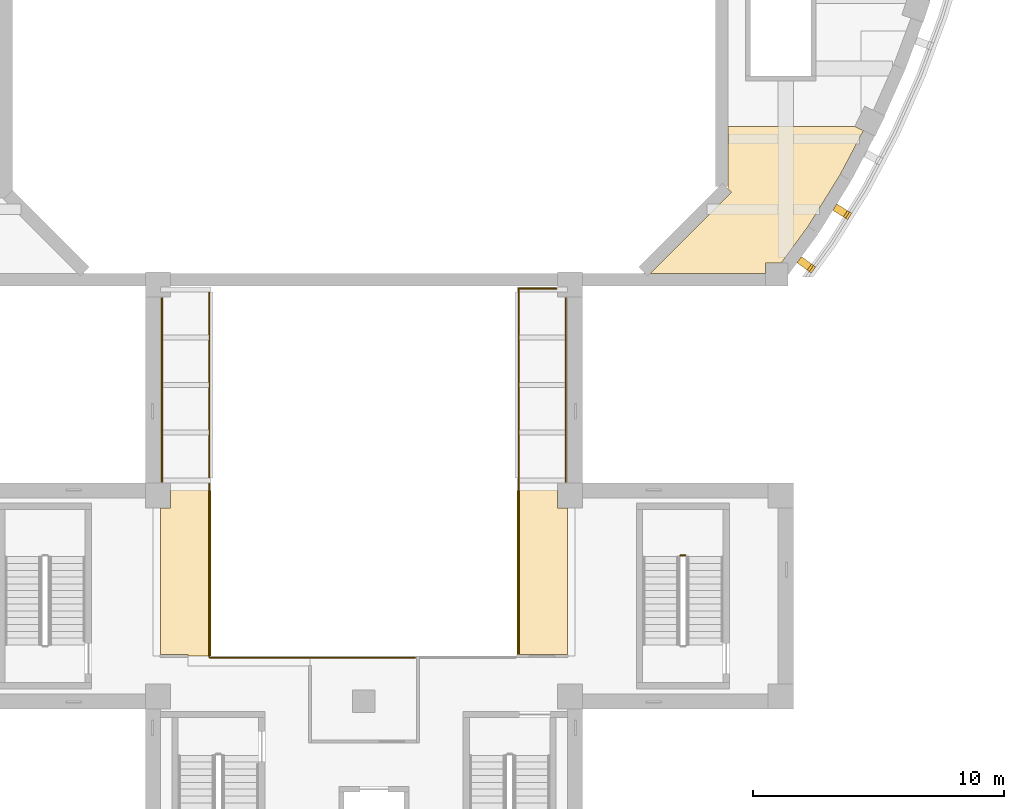
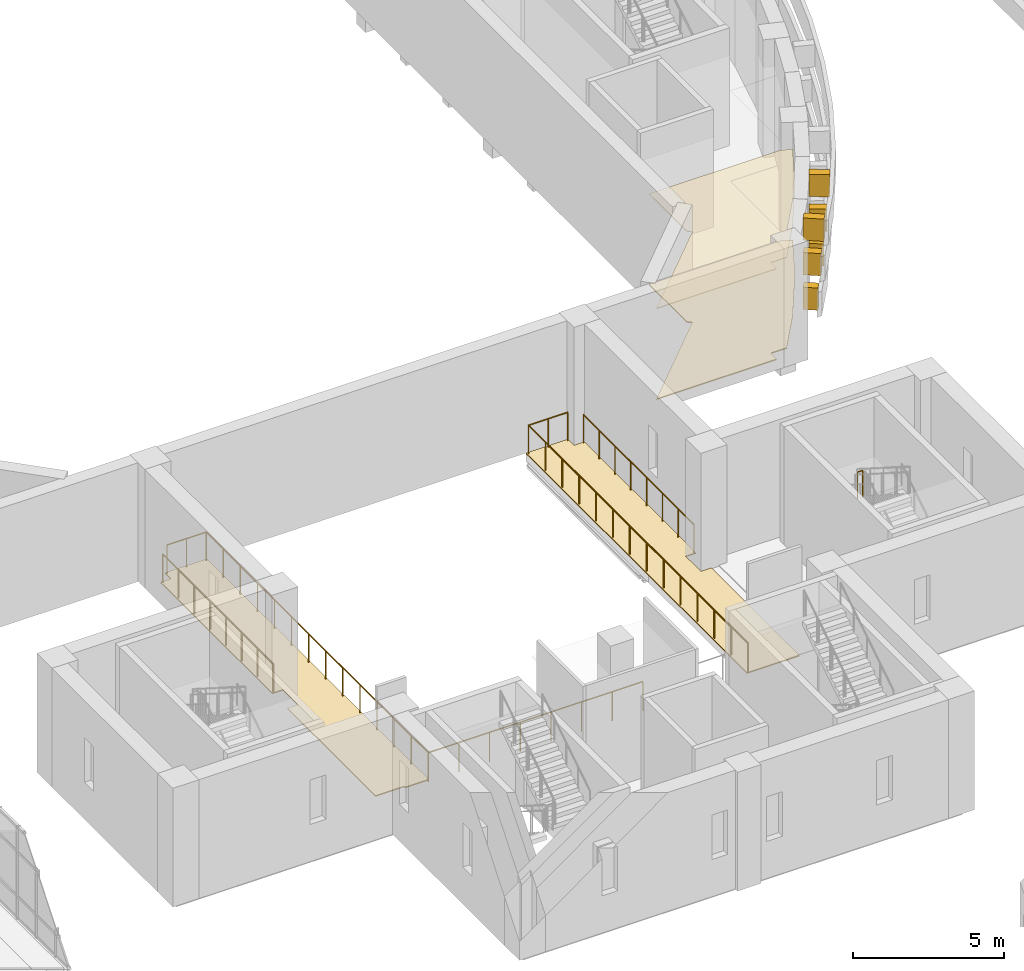
# One storey, part 83 of 103: 10 coverings, 5 railings.
"""IFC4 building model written with IfcOpenShell, lengths in metres."""

from ifc_helpers import new_model, si_unit, direction, frame, origin, origin_2d, place, context, subcontext, project, spatial, polyline, rectangle, circle, outline, extrude, material, layer, layer_set, type_object, element, save


model = new_model("IFC4")

# Units and contexts
model_context = context("Model", 3, precision=1e-05, world=origin(), true_north=direction((0.0, 1.0)))
body_context = subcontext(model_context, "Body", "Model", "MODEL_VIEW")
ifc_project = project(units=[si_unit("LENGTHUNIT", "METRE"), si_unit("AREAUNIT", "SQUARE_METRE"), si_unit("VOLUMEUNIT", "CUBIC_METRE"), si_unit("PLANEANGLEUNIT", "RADIAN"), si_unit("MASSUNIT", "GRAM", prefix="KILO")], contexts=[model_context])

# Site, building, storey
site_placement = place(None, origin())
site = spatial("IfcSite", under=ifc_project, at=site_placement, CompositionType="ELEMENT")
building_placement = place(site_placement, origin())
building = spatial("IfcBuilding", under=site, at=building_placement, Name="Larchfold Concert Hall", CompositionType="ELEMENT")
storey_placement = place(building_placement, frame((0.0, 0.0, 9.60009765625)))
storey = spatial("IfcBuildingStorey", under=building, at=storey_placement, Name="L02", CompositionType="ELEMENT", Elevation=9.60009765625)

# Coverings
ifc_material_1 = material(Name="Plasterboard ceiling lining")
ifc_layer_1 = layer(ifc_material_1, 0.030029296875)
ifc_layer_set_1 = layer_set([ifc_layer_1], Name="Plasterboard ceiling lining")
covering_type_1 = type_object("IfcCoveringType", Name="Ceiling suspended plasterboard 30", PredefinedType="CEILING", material=ifc_layer_set_1)
covering_1_placement = place(storey_placement, frame((0.0, 0.0, 3.669921875)))
element("IfcCovering", 1, at=covering_1_placement, inside=storey, type_object=covering_type_1, Name="Ceiling Hall Foyer South East", PredefinedType="CEILING", context=body_context, shape_type="SweptSolid", body=[
    extrude(outline(polyline([(61.56884765625, 63.580078125), (62.492919921875, 65.332763671875), (62.147705078125, 65.5), (57.10009765625, 65.5), (57.10009765625, 63.050048828125), (57.0859375, 63.035888671875), (57.23779296875, 62.884033203125), (54.003662109375, 59.64990234375), (58.59716796875, 59.64990234375), (58.59716796875, 60.0498046875), (59.213134765625, 60.0498046875), (60.286376953125, 61.515380859375), (61.56884765625, 63.580078125)])), origin(), (0.0, 0.0, 1.0), 0.030029296875),
])
ifc_material_2 = material(Name="Polished terrazzo")
ifc_layer_2 = layer(ifc_material_2, 0.0400390625)
ifc_layer_set_2 = layer_set([ifc_layer_2], Name="Polished terrazzo")
covering_type_2 = type_object("IfcCoveringType", Name="Floor finish terrazzo 40", PredefinedType="FLOORING", material=ifc_layer_set_2)
covering_2_placement = place(storey_placement, origin())
element("IfcCovering", 2, at=covering_2_placement, inside=storey, type_object=covering_type_2, Name="Floor finish Hall Foyer South East", PredefinedType="FLOORING", context=body_context, shape_type="SweptSolid", body=[
    extrude(outline(polyline([(61.56884765625, 63.580078125), (62.492919921875, 65.332763671875), (62.147705078125, 65.5), (57.10009765625, 65.5), (57.10009765625, 63.050048828125), (57.0859375, 63.035888671875), (57.23779296875, 62.884033203125), (54.003662109375, 59.64990234375), (58.59716796875, 59.64990234375), (58.59716796875, 60.0498046875), (59.213134765625, 60.0498046875), (60.286376953125, 61.515380859375), (61.56884765625, 63.580078125)])), origin(), (0.0, 0.0, 1.0), 0.0400390625),
])
covering_3_placement = place(storey_placement, origin())
element("IfcCovering", 3, at=covering_3_placement, inside=storey, type_object=covering_type_2, Name="Floor finish Fly Gallery 01", PredefinedType="FLOORING", context=body_context, shape_type="SweptSolid", body=[
    extrude(outline(polyline([(35.60009765625, 44.39990234375), (36.5, 44.39990234375), (36.5, 59.10009765625), (34.89990234375, 59.10009765625), (34.89990234375, 58.699951171875), (34.5, 58.699951171875), (34.5, 51.300048828125), (34.89990234375, 51.300048828125), (34.89990234375, 50.300048828125), (34.5, 50.300048828125), (34.5, 44.46240234375), (35.60009765625, 44.46240234375), (35.60009765625, 44.39990234375)])), origin(), (0.0, 0.0, 1.0), 0.0400390625),
])
covering_4_placement = place(storey_placement, origin())
element("IfcCovering", 4, at=covering_4_placement, inside=storey, type_object=covering_type_2, Name="Floor finish Fly Gallery 02", PredefinedType="FLOORING", context=body_context, shape_type="SweptSolid", body=[
    extrude(outline(polyline([(48.699951171875, 59.10009765625), (48.699951171875, 44.46240234375), (50.699951171875, 44.46240234375), (50.699951171875, 50.300048828125), (50.300048828125, 50.300048828125), (50.300048828125, 51.300048828125), (50.699951171875, 51.300048828125), (50.699951171875, 58.699951171875), (50.300048828125, 58.699951171875), (50.300048828125, 59.10009765625), (48.699951171875, 59.10009765625)])), origin(), (0.0, 0.0, 1.0), 0.0400390625),
])

# Railings
ifc_material_3 = material(Name="Stainless steel balustrade", Category="steel")
railing_type_1 = type_object("IfcRailingType", Name="Fly tower guard 1200", PredefinedType="GUARDRAIL", material=ifc_material_3)
railing_1_placement = place(storey_placement, frame((48.760009765625, 44.50244140625, 0.0)))
element("IfcRailing", 5, at=railing_1_placement, inside=storey, type_object=railing_type_1, Name="Guard GR0096", PredefinedType="GUARDRAIL", context=body_context, shape_type="SweptSolid", body=[
    extrude(circle(Radius=0.02392578125, at=origin_2d()), frame((0.0, 0.0, 1.17578125), z_axis=(0.0, 1.0, 0.0), x_axis=(-1.0, 0.0, 0.0)), (0.0, 0.0, 1.0), 14.53759765625),
    extrude(circle(Radius=0.02392578125, at=origin_2d()), frame((0.0, 14.53759765625, 1.17578125), z_axis=(1.0, 0.0, 0.0), x_axis=(0.0, 1.0, 0.0)), (0.0, 0.0, 1.0), 1.5),
    extrude(circle(Radius=0.02099609375, at=origin_2d()), origin(), (0.0, 0.0, 1.0), 1.15185546875),
    extrude(circle(Radius=0.02099609375, at=origin_2d()), frame((0.0, 1.1181640625, 0.0)), (0.0, 0.0, 1.0), 1.15185546875),
    extrude(circle(Radius=0.02099609375, at=origin_2d()), frame((0.0, 2.236572265625, 0.0)), (0.0, 0.0, 1.0), 1.15185546875),
    extrude(circle(Radius=0.02099609375, at=origin_2d()), frame((0.0, 3.354736328125, 0.0)), (0.0, 0.0, 1.0), 1.15185546875),
    extrude(circle(Radius=0.02099609375, at=origin_2d()), frame((0.0, 4.47314453125, 0.0)), (0.0, 0.0, 1.0), 1.15185546875),
    extrude(circle(Radius=0.02099609375, at=origin_2d()), frame((0.0, 5.59130859375, 0.0)), (0.0, 0.0, 1.0), 1.15185546875),
    extrude(circle(Radius=0.02099609375, at=origin_2d()), frame((0.0, 6.709716796875, 0.0)), (0.0, 0.0, 1.0), 1.15185546875),
    extrude(circle(Radius=0.02099609375, at=origin_2d()), frame((0.0, 7.827880859375, 0.0)), (0.0, 0.0, 1.0), 1.15185546875),
    extrude(circle(Radius=0.02099609375, at=origin_2d()), frame((0.0, 8.9462890625, 0.0)), (0.0, 0.0, 1.0), 1.15185546875),
    extrude(circle(Radius=0.02099609375, at=origin_2d()), frame((0.0, 10.064453125, 0.0)), (0.0, 0.0, 1.0), 1.15185546875),
    extrude(circle(Radius=0.02099609375, at=origin_2d()), frame((0.0, 11.182861328125, 0.0)), (0.0, 0.0, 1.0), 1.15185546875),
    extrude(circle(Radius=0.02099609375, at=origin_2d()), frame((0.0, 12.301025390625, 0.0)), (0.0, 0.0, 1.0), 1.15185546875),
    extrude(circle(Radius=0.02099609375, at=origin_2d()), frame((0.0, 13.41943359375, 0.0)), (0.0, 0.0, 1.0), 1.15185546875),
    extrude(circle(Radius=0.02099609375, at=origin_2d()), frame((0.0, 14.53759765625, 0.0)), (0.0, 0.0, 1.0), 1.15185546875),
    extrude(circle(Radius=0.02099609375, at=origin_2d()), frame((0.75, 14.53759765625, 0.0)), (0.0, 0.0, 1.0), 1.15185546875),
    extrude(circle(Radius=0.02099609375, at=origin_2d()), frame((1.5, 14.53759765625, 0.0)), (0.0, 0.0, 1.0), 1.15185546875),
])
railing_2_placement = place(storey_placement, frame((50.639892578125, 58.659912109375, 0.0)))
element("IfcRailing", 6, at=railing_2_placement, inside=storey, type_object=railing_type_1, Name="Guard GR0097", PredefinedType="GUARDRAIL", context=body_context, shape_type="SweptSolid", body=[
    extrude(circle(Radius=0.02392578125, at=origin_2d()), frame((0.0, 0.0, 1.17578125), z_axis=(0.0, -1.0, 0.0), x_axis=(1.0, 0.0, 0.0)), (0.0, 0.0, 1.0), 7.31982421875),
    extrude(circle(Radius=0.02099609375, at=origin_2d()), origin(), (0.0, 0.0, 1.0), 1.15185546875),
    extrude(circle(Radius=0.02099609375, at=origin_2d()), frame((0.0, -1.045654296875, 0.0)), (0.0, 0.0, 1.0), 1.15185546875),
    extrude(circle(Radius=0.02099609375, at=origin_2d()), frame((0.0, -2.09130859375, 0.0)), (0.0, 0.0, 1.0), 1.15185546875),
    extrude(circle(Radius=0.02099609375, at=origin_2d()), frame((0.0, -3.136962890625, 0.0)), (0.0, 0.0, 1.0), 1.15185546875),
    extrude(circle(Radius=0.02099609375, at=origin_2d()), frame((0.0, -4.182861328125, 0.0)), (0.0, 0.0, 1.0), 1.15185546875),
    extrude(circle(Radius=0.02099609375, at=origin_2d()), frame((0.0, -5.228515625, 0.0)), (0.0, 0.0, 1.0), 1.15185546875),
    extrude(circle(Radius=0.02099609375, at=origin_2d()), frame((0.0, -6.274169921875, 0.0)), (0.0, 0.0, 1.0), 1.15185546875),
    extrude(circle(Radius=0.02099609375, at=origin_2d()), frame((0.0, -7.31982421875, 0.0)), (0.0, 0.0, 1.0), 1.15185546875),
])
railing_3_placement = place(storey_placement, frame((34.56005859375, 51.340087890625, 0.0)))
element("IfcRailing", 7, at=railing_3_placement, inside=storey, type_object=railing_type_1, Name="Guard GR0098", PredefinedType="GUARDRAIL", context=body_context, shape_type="SweptSolid", body=[
    extrude(circle(Radius=0.02392578125, at=origin_2d()), frame((0.0, 0.0, 1.17578125), z_axis=(0.0, 1.0, 0.0), x_axis=(-1.0, 0.0, 0.0)), (0.0, 0.0, 1.0), 7.31982421875),
    extrude(circle(Radius=0.02099609375, at=origin_2d()), origin(), (0.0, 0.0, 1.0), 1.15185546875),
    extrude(circle(Radius=0.02099609375, at=origin_2d()), frame((0.0, 1.045654296875, 0.0)), (0.0, 0.0, 1.0), 1.15185546875),
    extrude(circle(Radius=0.02099609375, at=origin_2d()), frame((0.0, 2.09130859375, 0.0)), (0.0, 0.0, 1.0), 1.15185546875),
    extrude(circle(Radius=0.02099609375, at=origin_2d()), frame((0.0, 3.136962890625, 0.0)), (0.0, 0.0, 1.0), 1.15185546875),
    extrude(circle(Radius=0.02099609375, at=origin_2d()), frame((0.0, 4.182861328125, 0.0)), (0.0, 0.0, 1.0), 1.15185546875),
    extrude(circle(Radius=0.02099609375, at=origin_2d()), frame((0.0, 5.228515625, 0.0)), (0.0, 0.0, 1.0), 1.15185546875),
    extrude(circle(Radius=0.02099609375, at=origin_2d()), frame((0.0, 6.274169921875, 0.0)), (0.0, 0.0, 1.0), 1.15185546875),
    extrude(circle(Radius=0.02099609375, at=origin_2d()), frame((0.0, 7.31982421875, 0.0)), (0.0, 0.0, 1.0), 1.15185546875),
])
railing_4_placement = place(storey_placement, frame((34.93994140625, 59.0400390625, 0.0)))
element("IfcRailing", 8, at=railing_4_placement, inside=storey, type_object=railing_type_1, Name="Guard GR0099", PredefinedType="GUARDRAIL", context=body_context, shape_type="SweptSolid", body=[
    extrude(circle(Radius=0.02392578125, at=origin_2d()), frame((0.0, 0.0, 1.17578125), z_axis=(1.0, 0.0, 0.0), x_axis=(0.0, 1.0, 0.0)), (0.0, 0.0, 1.0), 1.5),
    extrude(circle(Radius=0.02392578125, at=origin_2d()), frame((1.5, 0.0, 1.17578125), z_axis=(0.0, -1.0, 0.0), x_axis=(1.0, 0.0, 0.0)), (0.0, 0.0, 1.0), 14.7001953125),
    extrude(circle(Radius=0.02392578125, at=origin_2d()), frame((1.5, -14.7001953125, 1.17578125), z_axis=(1.0, 0.0, 0.0), x_axis=(0.0, 1.0, 0.0)), (0.0, 0.0, 1.0), 8.20751953125),
    extrude(circle(Radius=0.02099609375, at=origin_2d()), origin(), (0.0, 0.0, 1.0), 1.15185546875),
    extrude(circle(Radius=0.02099609375, at=origin_2d()), frame((0.75, 0.0, 0.0)), (0.0, 0.0, 1.0), 1.15185546875),
    extrude(circle(Radius=0.02099609375, at=origin_2d()), frame((1.5, 0.0, 0.0)), (0.0, 0.0, 1.0), 1.15185546875),
    extrude(circle(Radius=0.02099609375, at=origin_2d()), frame((1.5, -1.130859375, 0.0)), (0.0, 0.0, 1.0), 1.15185546875),
    extrude(circle(Radius=0.02099609375, at=origin_2d()), frame((1.5, -2.261474609375, 0.0)), (0.0, 0.0, 1.0), 1.15185546875),
    extrude(circle(Radius=0.02099609375, at=origin_2d()), frame((1.5, -3.392333984375, 0.0)), (0.0, 0.0, 1.0), 1.15185546875),
    extrude(circle(Radius=0.02099609375, at=origin_2d()), frame((1.5, -4.523193359375, 0.0)), (0.0, 0.0, 1.0), 1.15185546875),
    extrude(circle(Radius=0.02099609375, at=origin_2d()), frame((1.5, -5.65380859375, 0.0)), (0.0, 0.0, 1.0), 1.15185546875),
    extrude(circle(Radius=0.02099609375, at=origin_2d()), frame((1.5, -6.78466796875, 0.0)), (0.0, 0.0, 1.0), 1.15185546875),
    extrude(circle(Radius=0.02099609375, at=origin_2d()), frame((1.5, -7.91552734375, 0.0)), (0.0, 0.0, 1.0), 1.15185546875),
    extrude(circle(Radius=0.02099609375, at=origin_2d()), frame((1.5, -9.04638671875, 0.0)), (0.0, 0.0, 1.0), 1.15185546875),
    extrude(circle(Radius=0.02099609375, at=origin_2d()), frame((1.5, -10.177001953125, 0.0)), (0.0, 0.0, 1.0), 1.15185546875),
    extrude(circle(Radius=0.02099609375, at=origin_2d()), frame((1.5, -11.307861328125, 0.0)), (0.0, 0.0, 1.0), 1.15185546875),
    extrude(circle(Radius=0.02099609375, at=origin_2d()), frame((1.5, -12.438720703125, 0.0)), (0.0, 0.0, 1.0), 1.15185546875),
    extrude(circle(Radius=0.02099609375, at=origin_2d()), frame((1.5, -13.5693359375, 0.0)), (0.0, 0.0, 1.0), 1.15185546875),
    extrude(circle(Radius=0.02099609375, at=origin_2d()), frame((1.5, -14.7001953125, 0.0)), (0.0, 0.0, 1.0), 1.15185546875),
    extrude(circle(Radius=0.02099609375, at=origin_2d()), frame((2.672607421875, -14.7001953125, 0.0)), (0.0, 0.0, 1.0), 1.15185546875),
    extrude(circle(Radius=0.02099609375, at=origin_2d()), frame((3.844970703125, -14.7001953125, 0.0)), (0.0, 0.0, 1.0), 1.15185546875),
    extrude(circle(Radius=0.02099609375, at=origin_2d()), frame((5.017578125, -14.7001953125, 0.0)), (0.0, 0.0, 1.0), 1.15185546875),
    extrude(circle(Radius=0.02099609375, at=origin_2d()), frame((6.18994140625, -14.7001953125, 0.0)), (0.0, 0.0, 1.0), 1.15185546875),
    extrude(circle(Radius=0.02099609375, at=origin_2d()), frame((7.362548828125, -14.7001953125, 0.0)), (0.0, 0.0, 1.0), 1.15185546875),
    extrude(circle(Radius=0.02099609375, at=origin_2d()), frame((8.534912109375, -14.7001953125, 0.0)), (0.0, 0.0, 1.0), 1.15185546875),
    extrude(circle(Radius=0.02099609375, at=origin_2d()), frame((9.70751953125, -14.7001953125, 0.0)), (0.0, 0.0, 1.0), 1.15185546875),
])

# Coverings
ifc_material_4 = material(Name="Galvanised steel bracket", Category="steel")
ifc_layer_3 = layer(ifc_material_4, 0.300048828125)
ifc_layer_set_3 = layer_set([ifc_layer_3], Name="Galvanised steel bracket")
covering_type_3 = type_object("IfcCoveringType", Name="Ring support bracket", PredefinedType="CLADDING", material=ifc_layer_set_3)
for number, where, z_axis, x_axis, name in (
    (9, (60.13916015625, 60.045166015625, 1.349853515625), (0.0, 0.0, 1.0), (0.80684915404, -0.590757515927, 0.0), "Ring bracket BR-R03-27"),
    (10, (61.564208984375, 62.1513671875, 1.349853515625), (0.0, 0.0, 1.0), (0.849390839977, -0.527764342263, 0.0), "Ring bracket BR-R03-28"),
):
    element("IfcCovering", number, at=place(storey_placement, frame(where, z_axis=z_axis, x_axis=x_axis)), inside=storey, type_object=covering_type_3, Name=name, PredefinedType="CLADDING", context=body_context, shape_type="SweptSolid", body=[
        extrude(rectangle(XDim=0.5, YDim=0.300048828125, at=origin_2d()), origin(), (0.0, 0.0, 1.0), 0.89990234375),
    ])
for number, where, z_axis, x_axis, name in (
    (11, (60.179443359375, 60.015625, 2.75), (0.0, 0.0, 1.0), (0.80684915404, -0.590757515927, 0.0), "Ring bracket BR-R04-27"),
    (12, (61.606689453125, 62.125, 2.75), (0.0, 0.0, 1.0), (0.849390839977, -0.527764342263, 0.0), "Ring bracket BR-R04-28"),
):
    element("IfcCovering", number, at=place(storey_placement, frame(where, z_axis=z_axis, x_axis=x_axis)), inside=storey, type_object=covering_type_3, Name=name, PredefinedType="CLADDING", context=body_context, shape_type="SweptSolid", body=[
        extrude(rectangle(XDim=0.60009765625, YDim=0.300048828125, at=origin_2d()), origin(), (0.0, 0.0, 1.0), 0.89990234375),
    ])
for number, where, z_axis, x_axis, name in (
    (13, (60.2197265625, 59.986083984375, 4.14990234375), (0.0, 0.0, 1.0), (0.80684915404, -0.590757515927, 0.0), "Ring bracket BR-R05-27"),
    (14, (61.649169921875, 62.0986328125, 4.14990234375), (0.0, 0.0, 1.0), (0.849390839977, -0.527764342263, 0.0), "Ring bracket BR-R05-28"),
):
    element("IfcCovering", number, at=place(storey_placement, frame(where, z_axis=z_axis, x_axis=x_axis)), inside=storey, type_object=covering_type_3, Name=name, PredefinedType="CLADDING", context=body_context, shape_type="SweptSolid", body=[
        extrude(rectangle(XDim=0.699951171875, YDim=0.300048828125, at=origin_2d()), origin(), (0.0, 0.0, 1.0), 0.89990234375),
    ])

# Railing
ifc_material_5 = material(Name="Stainless steel balustrade", Category="steel")
railing_type_2 = type_object("IfcRailingType", Name="Stair guard 1100", PredefinedType="GUARDRAIL", material=ifc_material_5)
railing_5_placement = place(storey_placement, frame((55.39990234375, 48.41015625, 2.39990234375)))
element("IfcRailing", 15, at=railing_5_placement, inside=storey, type_object=railing_type_2, Name="Guard GR0041", PredefinedType="GUARDRAIL", context=body_context, shape_type="SweptSolid", body=[
    extrude(circle(Radius=0.02392578125, at=origin_2d()), frame((0.0, 0.0, 1.076171875), z_axis=(-1.0, 0.0, 0.0), x_axis=(0.0, -1.0, 0.0)), (0.0, 0.0, 1.0), 0.199951171875),
    extrude(circle(Radius=0.02099609375, at=origin_2d()), origin(), (0.0, 0.0, 1.0), 1.052001953125),
    extrude(circle(Radius=0.02099609375, at=origin_2d()), frame((-0.199951171875, 0.0, 0.0)), (0.0, 0.0, 1.0), 1.052001953125),
])

save(model, "model.ifc")
